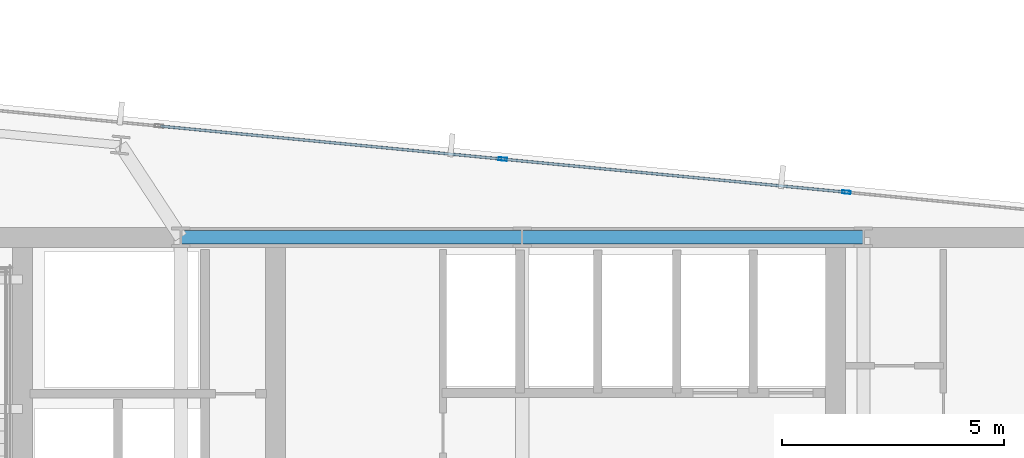
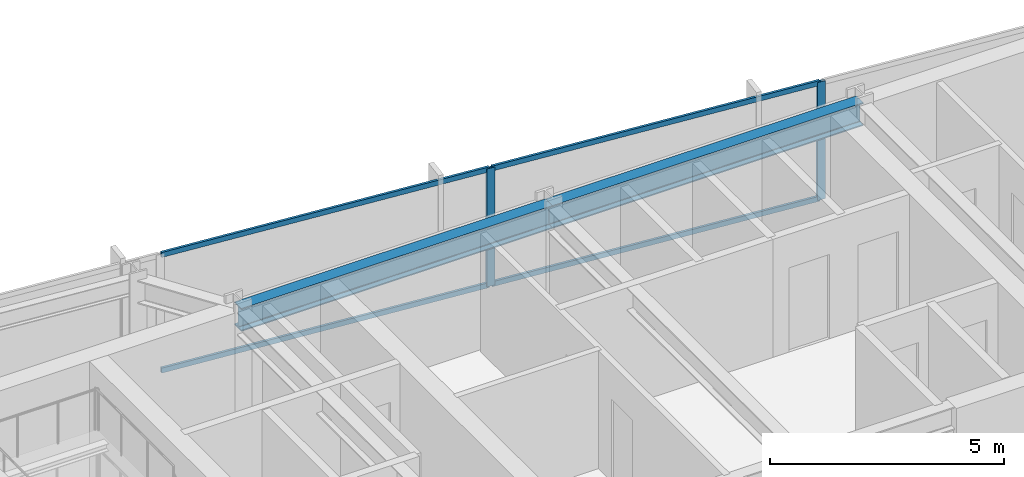
# One storey, part 26 of 37: 6 members, 2 beams, 1 element without a shape of its own.
"""IFC4 building model written with IfcOpenShell, lengths in metres."""

from ifc_helpers import new_model, si_unit, direction, frame, origin, origin_2d, place, context, subcontext, project, spatial, hollow_rectangle, i_section, extrude, material, material_profile, profile_set, type_object, element, aggregate, save


model = new_model("IFC4")

# Units and contexts
model_context = context("Model", 3, precision=1e-05, world=origin(), true_north=direction((0.0, 1.0)))
body_context = subcontext(model_context, "Body", "Model", "MODEL_VIEW")
ifc_project = project(units=[si_unit("LENGTHUNIT", "METRE"), si_unit("AREAUNIT", "SQUARE_METRE"), si_unit("VOLUMEUNIT", "CUBIC_METRE"), si_unit("PLANEANGLEUNIT", "RADIAN"), si_unit("MASSUNIT", "GRAM", prefix="KILO")], contexts=[model_context])

# Site, building, storey
site_placement = place(None, origin())
site = spatial("IfcSite", under=ifc_project, at=site_placement, CompositionType="ELEMENT")
building_placement = place(site_placement, origin())
building = spatial("IfcBuilding", under=site, at=building_placement, Name="Yelkora Congress Tower", CompositionType="ELEMENT")
storey_placement = place(building_placement, frame((0.0, 0.0, 175.39990234375)))
storey = spatial("IfcBuildingStorey", under=building, at=storey_placement, Name="L48", CompositionType="ELEMENT", Elevation=175.39990234375)

# Beams
ifc_material_1 = material(Name="Steel S355J2", Category="steel")
ifc_material_profile_1 = material_profile(ifc_material_1, i_section(OverallWidth=0.300048828125, OverallDepth=0.60009765625, WebThickness=0.015380859375, FlangeThickness=0.030029296875, FilletRadius=0.027099609375, at=origin_2d()), Name="HEB 600")
ifc_profile_set_1 = profile_set([ifc_material_profile_1], Name="Steel S355J2")
beam_type = type_object("IfcBeamType", Name="BM-GIRD-HEB600", PredefinedType="BEAM", material=ifc_profile_set_1)
beam_1_placement = place(storey_placement, frame((30.719970703125, 46.199951171875, 2.780029296875), z_axis=(1.0, 0.0, 0.0), x_axis=(0.0, 1.0, 0.0)))
element("IfcBeam", 1, at=beam_1_placement, inside=storey, type_object=beam_type, Name="L48 Core North Girder 3", PredefinedType="BEAM", context=body_context, shape_type="SweptSolid", body=[
    extrude(i_section(OverallWidth=0.300048828125, OverallDepth=0.60009765625, WebThickness=0.015380859375, FlangeThickness=0.030029296875, FilletRadius=0.027099609375, at=origin_2d()), origin(), (0.0, 0.0, 1.0), 7.679931640625),
])
beam_2_placement = place(storey_placement, frame((38.39990234375, 46.199951171875, 2.780029296875), z_axis=(1.0, 0.0, 0.0), x_axis=(0.0, 1.0, 0.0)))
element("IfcBeam", 2, at=beam_2_placement, inside=storey, type_object=beam_type, Name="L48 Core North Girder 4", PredefinedType="BEAM", context=body_context, shape_type="SweptSolid", body=[
    extrude(i_section(OverallWidth=0.300048828125, OverallDepth=0.60009765625, WebThickness=0.015380859375, FlangeThickness=0.030029296875, FilletRadius=0.027099609375, at=origin_2d()), origin(), (0.0, 0.0, 1.0), 7.68017578125),
])

# Curtain wall, members
ifc_material_2 = material(Name="Anodised aluminium and insulated glass", Category="aluminium")
curtain_wall_type = type_object("IfcCurtainWallType", Name="CW-SYS-B3", PredefinedType="NOTDEFINED", material=ifc_material_2)
curtain_wall_placement = place(storey_placement, origin())
curtain_wall = element("IfcCurtainWall", 3, at=curtain_wall_placement, inside=storey, type_object=curtain_wall_type, Name="L48 Unitised Curtain Wall 10 (1)", PredefinedType="NOTDEFINED")
ifc_material_3 = material(Name="Anodised aluminium 6063-T6", Category="aluminium")
ifc_material_profile_2 = material_profile(ifc_material_3, hollow_rectangle(XDim=0.070068359375, YDim=0.18994140625, WallThickness=0.00390625, at=origin_2d()), Name="ALU 70x190x4")
ifc_profile_set_2 = profile_set([ifc_material_profile_2], Name="Anodised aluminium 6063-T6")
member_type_1 = type_object("IfcMemberType", Name="MEM-ML-B3", PredefinedType="MULLION", material=ifc_profile_set_2)
member_1_placement = place(storey_placement, frame((37.9638671875, 47.958984375, 0.0), z_axis=(0.0, 0.0, 1.0), x_axis=(0.095844761168, 0.995396293823, 0.0)))
member_1 = element("IfcMember", 4, at=member_1_placement, type_object=member_type_1, Name="CW-B3 mullion 5", PredefinedType="MULLION", context=body_context, shape_type="SweptSolid", body=[
    extrude(hollow_rectangle(XDim=0.070068359375, YDim=0.18994140625, WallThickness=0.00390625, at=origin_2d()), origin(), (0.0, 0.0, 1.0), 3.080078125),
])
member_2_placement = place(storey_placement, frame((45.697509765625, 47.21435546875, 0.0), z_axis=(0.0, 0.0, 1.0), x_axis=(0.095844761168, 0.995396293823, 0.0)))
member_2 = element("IfcMember", 5, at=member_2_placement, type_object=member_type_1, Name="CW-B3 mullion 6", PredefinedType="MULLION", context=body_context, shape_type="SweptSolid", body=[
    extrude(hollow_rectangle(XDim=0.070068359375, YDim=0.18994140625, WallThickness=0.00390625, at=origin_2d()), origin(), (0.0, 0.0, 1.0), 3.080078125),
])
ifc_material_profile_3 = material_profile(ifc_material_3, hollow_rectangle(XDim=0.06005859375, YDim=0.1298828125, WallThickness=0.00390625, at=origin_2d()), Name="ALU 60x130x4")
ifc_profile_set_3 = profile_set([ifc_material_profile_3], Name="Anodised aluminium 6063-T6")
member_type_2 = type_object("IfcMemberType", Name="MEM-TR-B3", PredefinedType="USERDEFINED", material=ifc_profile_set_3)
member_3_placement = place(storey_placement, frame((30.26513671875, 48.7001953125, 0.030029296875), z_axis=(0.995398042106, -0.095826602633, 0.0), x_axis=(0.095826602633, 0.995398042106, 0.0)))
member_3 = element("IfcMember", 6, at=member_3_placement, type_object=member_type_2, Name="CW-B3 transom 4.1", ObjectType="TRANSOM", PredefinedType="USERDEFINED", context=body_context, shape_type="SweptSolid", body=[
    extrude(hollow_rectangle(XDim=0.06005859375, YDim=0.1298828125, WallThickness=0.00390625, at=origin_2d()), origin(), (0.0, 0.0, 1.0), 7.69921875),
])
member_4_placement = place(storey_placement, frame((30.26513671875, 48.7001953125, 3.050048828125), z_axis=(0.995398042106, -0.095826602633, 0.0), x_axis=(0.095826602633, 0.995398042106, 0.0)))
member_4 = element("IfcMember", 7, at=member_4_placement, type_object=member_type_2, Name="CW-B3 transom 4.2", ObjectType="TRANSOM", PredefinedType="USERDEFINED", context=body_context, shape_type="SweptSolid", body=[
    extrude(hollow_rectangle(XDim=0.06005859375, YDim=0.1298828125, WallThickness=0.00390625, at=origin_2d()), origin(), (0.0, 0.0, 1.0), 7.69921875),
])
member_5_placement = place(storey_placement, frame((37.998779296875, 47.95556640625, 0.030029296875), z_axis=(0.995398042106, -0.095826602633, 0.0), x_axis=(0.095826602633, 0.995398042106, 0.0)))
member_5 = element("IfcMember", 8, at=member_5_placement, type_object=member_type_2, Name="CW-B3 transom 5.1", ObjectType="TRANSOM", PredefinedType="USERDEFINED", context=body_context, shape_type="SweptSolid", body=[
    extrude(hollow_rectangle(XDim=0.06005859375, YDim=0.1298828125, WallThickness=0.00390625, at=origin_2d()), origin(), (0.0, 0.0, 1.0), 7.69921875),
])
member_6_placement = place(storey_placement, frame((37.998779296875, 47.95556640625, 3.050048828125), z_axis=(0.995398042106, -0.095826602633, 0.0), x_axis=(0.095826602633, 0.995398042106, 0.0)))
member_6 = element("IfcMember", 9, at=member_6_placement, type_object=member_type_2, Name="CW-B3 transom 5.2", ObjectType="TRANSOM", PredefinedType="USERDEFINED", context=body_context, shape_type="SweptSolid", body=[
    extrude(hollow_rectangle(XDim=0.06005859375, YDim=0.1298828125, WallThickness=0.00390625, at=origin_2d()), origin(), (0.0, 0.0, 1.0), 7.69921875),
])
aggregate(curtain_wall, [member_1, member_2, member_3, member_4, member_5, member_6])

save(model, "model.ifc")
